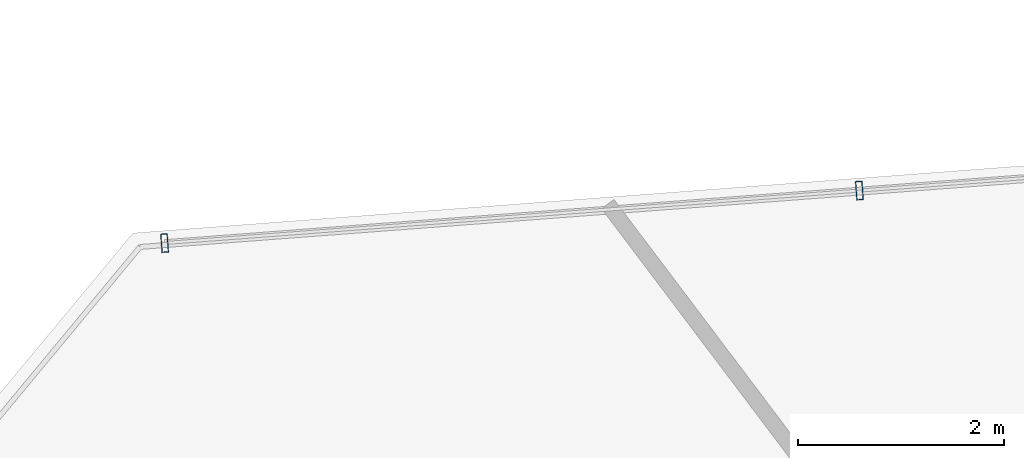
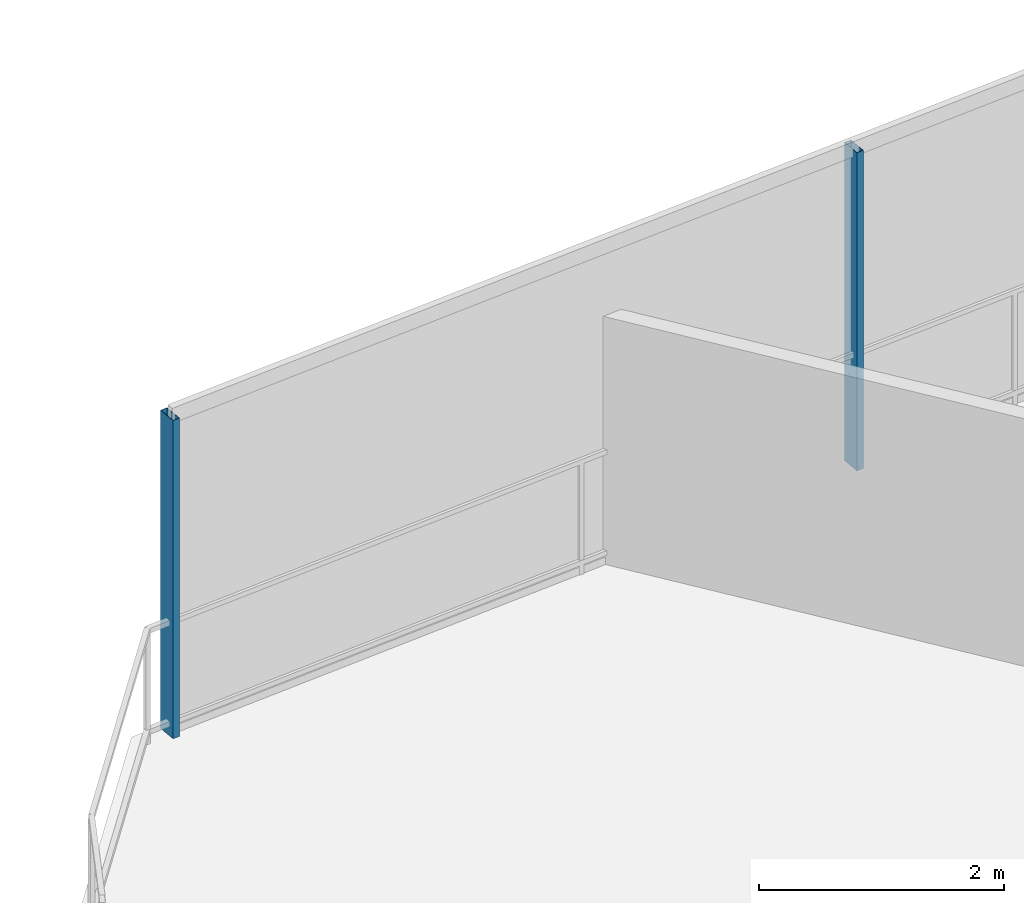
# One storey, part 17 of 30: 2 members, 1 element without a shape of its own.
"""IFC4 building model written with IfcOpenShell, lengths in metres."""

from ifc_helpers import new_model, si_unit, direction, frame, origin, origin_2d, place, context, subcontext, project, spatial, hollow_rectangle, extrude, material, layer, layer_set, material_profile, profile_set, type_object, element, aggregate, save


model = new_model("IFC4")

# Units and contexts
model_context = context("Model", 3, precision=1e-05, world=origin(), true_north=direction((0.0, 1.0)))
body_context = subcontext(model_context, "Body", "Model", "MODEL_VIEW")
ifc_project = project(units=[si_unit("LENGTHUNIT", "METRE"), si_unit("AREAUNIT", "SQUARE_METRE"), si_unit("VOLUMEUNIT", "CUBIC_METRE"), si_unit("PLANEANGLEUNIT", "RADIAN"), si_unit("MASSUNIT", "GRAM", prefix="KILO")], contexts=[model_context])

# Site, building, storey
site_placement = place(None, origin())
site = spatial("IfcSite", under=ifc_project, at=site_placement, CompositionType="ELEMENT")
building_placement = place(site_placement, origin())
building = spatial("IfcBuilding", under=site, at=building_placement, Name="Qarnah Convention Tower", CompositionType="ELEMENT")
storey_placement = place(building_placement, frame((0.0, 0.0, 83.25)))
storey = spatial("IfcBuildingStorey", under=building, at=storey_placement, Name="L21", CompositionType="ELEMENT", Elevation=83.25)

# Curtain wall, members
ifc_material_1 = material(Name="Tempered Low-E dark glass", Category="glass")
ifc_layer = layer(ifc_material_1, 0.169921875)
ifc_layer_set = layer_set([ifc_layer], Name="Tempered Low-E dark glass")
curtain_wall_type = type_object("IfcCurtainWallType", Name="CWS-02", PredefinedType="NOTDEFINED", material=ifc_layer_set)
curtain_wall_placement = place(storey_placement, origin())
curtain_wall = element("IfcCurtainWall", 1, at=curtain_wall_placement, inside=storey, type_object=curtain_wall_type, Name="L21 unitised curtain wall CW-L21-F2", PredefinedType="NOTDEFINED")
ifc_material_2 = material(Name="Black anodised aluminium", Category="aluminium")
ifc_material_profile = material_profile(ifc_material_2, hollow_rectangle(XDim=0.06494140625, YDim=0.179931640625, WallThickness=0.00390625, at=origin_2d()), Name="MUL-65X180")
ifc_profile_set = profile_set([ifc_material_profile], Name="Black anodised aluminium")
member_type = type_object("IfcMemberType", Name="MUL-T2", PredefinedType="MULLION", material=ifc_profile_set)
member_1_placement = place(storey_placement, frame((19.906982421875, 42.906982421875, 0.0), z_axis=(0.0, 0.0, 1.0), x_axis=(0.997158879225, 0.075327083987, 0.0)))
member_1 = element("IfcMember", 2, at=member_1_placement, type_object=member_type, Name="CW-L21-F2 mullion 1", PredefinedType="MULLION", context=body_context, shape_type="SweptSolid", body=[
    extrude(hollow_rectangle(XDim=0.06494140625, YDim=0.179931640625, WallThickness=0.00390625, at=origin_2d()), origin(), (0.0, 0.0, 1.0), 3.169921875),
])
member_2_placement = place(storey_placement, frame((26.64501953125, 43.416015625, 0.0), z_axis=(0.0, 0.0, 1.0), x_axis=(0.997158879225, 0.075327083987, 0.0)))
member_2 = element("IfcMember", 3, at=member_2_placement, type_object=member_type, Name="CW-L21-F2 mullion 2", PredefinedType="MULLION", context=body_context, shape_type="SweptSolid", body=[
    extrude(hollow_rectangle(XDim=0.06494140625, YDim=0.179931640625, WallThickness=0.00390625, at=origin_2d()), origin(), (0.0, 0.0, 1.0), 3.169921875),
])
aggregate(curtain_wall, [member_1, member_2])

save(model, "model.ifc")
